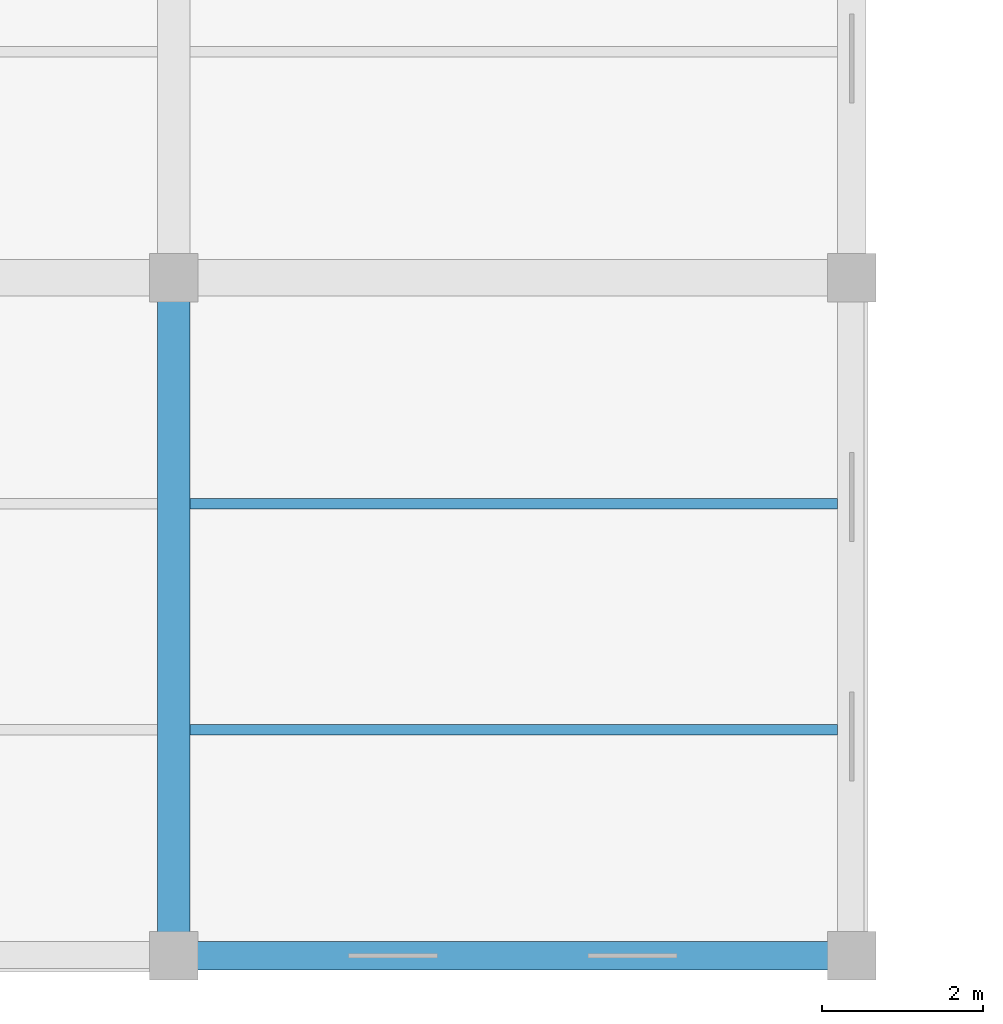
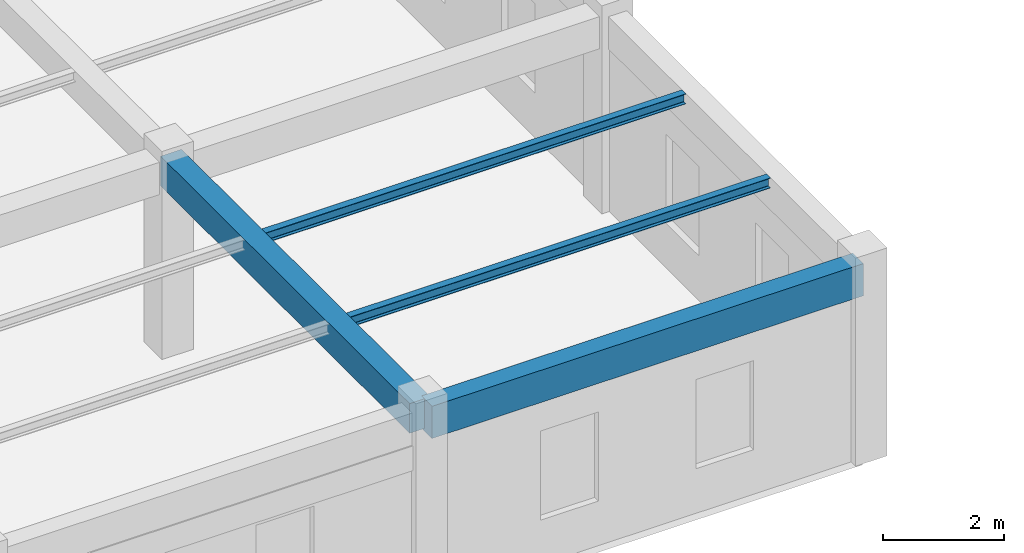
# One storey, part 14 of 114: 4 beams.
"""IFC4 building model written with IfcOpenShell, lengths in metres."""

from ifc_helpers import new_model, si_unit, direction, frame, origin, origin_2d, place, context, subcontext, project, spatial, rectangle, i_section, extrude, material, material_profile, profile_set, type_object, element, save


model = new_model("IFC4")

# Units and contexts
model_context = context("Model", 3, precision=1e-05, world=origin(), true_north=direction((0.0, 1.0)))
body_context = subcontext(model_context, "Body", "Model", "MODEL_VIEW")
ifc_project = project(units=[si_unit("LENGTHUNIT", "METRE"), si_unit("AREAUNIT", "SQUARE_METRE"), si_unit("VOLUMEUNIT", "CUBIC_METRE"), si_unit("PLANEANGLEUNIT", "RADIAN"), si_unit("MASSUNIT", "GRAM", prefix="KILO"), si_unit("THERMODYNAMICTEMPERATUREUNIT", "KELVIN"), si_unit("POWERUNIT", "WATT")], contexts=[model_context])

# Site, building, storey
site_placement = place(None, origin())
site = spatial("IfcSite", under=ifc_project, at=site_placement, CompositionType="ELEMENT")
building_placement = place(site_placement, origin())
building = spatial("IfcBuilding", under=site, at=building_placement, Name="Darbajah Civic Hall", CompositionType="ELEMENT")
storey_placement = place(building_placement, frame((0.0, 0.0, 13.800048828125)))
storey = spatial("IfcBuildingStorey", under=building, at=storey_placement, Name="L03", CompositionType="ELEMENT", Elevation=13.800048828125)

# Beams
ifc_material_1 = material(Name="Concrete C45/55", Category="concrete")
ifc_material_profile_1 = material_profile(ifc_material_1, rectangle(XDim=0.39990234375, YDim=0.60009765625, at=origin_2d()), Name="RC BEAM 400x600")
ifc_profile_set_1 = profile_set([ifc_material_profile_1], Name="Concrete C45/55")
beam_type_1 = type_object("IfcBeamType", Name="RC BEAM 400x600", PredefinedType="BEAM", material=ifc_profile_set_1)
beam_1_placement = place(storey_placement, frame((58.800048828125, 0.080078125, 3.639892578125), z_axis=(0.0, 1.0, 0.0), x_axis=(-1.0, 0.0, 0.0)))
element("IfcBeam", 1, at=beam_1_placement, inside=storey, type_object=beam_type_1, Name="L03 beam BM-4060", PredefinedType="BEAM", context=body_context, shape_type="SweptSolid", body=[
    extrude(rectangle(XDim=0.39990234375, YDim=0.60009765625, at=origin_2d()), origin(), (0.0, 0.0, 1.0), 8.239990234375),
])
ifc_material_profile_2 = material_profile(ifc_material_1, rectangle(XDim=0.35009765625, YDim=0.64990234375, at=origin_2d()), Name="RC SPANDREL 350x650")
ifc_profile_set_2 = profile_set([ifc_material_profile_2], Name="Concrete C45/55")
beam_type_2 = type_object("IfcBeamType", Name="RC SPANDREL 350x650", PredefinedType="SPANDREL", material=ifc_profile_set_2)
beam_2_placement = place(storey_placement, frame((58.8798828125, 0.0, 3.614990234375), z_axis=(1.0, 0.0, 0.0), x_axis=(0.0, 1.0, 0.0)))
element("IfcBeam", 2, at=beam_2_placement, inside=storey, type_object=beam_type_2, Name="L03 beam SP-3565", PredefinedType="SPANDREL", context=body_context, shape_type="SweptSolid", body=[
    extrude(rectangle(XDim=0.35009765625, YDim=0.64990234375, at=origin_2d()), origin(), (0.0, 0.0, 1.0), 8.240234375),
])
ifc_material_2 = material(Name="Steel S355JR", Category="steel")
ifc_material_profile_3 = material_profile(ifc_material_2, i_section(OverallWidth=0.1337890625, OverallDepth=0.206787109375, WebThickness=0.00634765625, FlangeThickness=0.009521484375, FilletRadius=0.007568359375, at=origin_2d()), Name="UB 203x133x30")
ifc_profile_set_3 = profile_set([ifc_material_profile_3], Name="Steel S355JR")
beam_type_3 = type_object("IfcBeamType", Name="UB 203x133x30", PredefinedType="JOIST", material=ifc_profile_set_3)
for number, where, z_axis, x_axis, name in (
    (3, (59.0, 2.800048828125, 3.836669921875), (1.0, 0.0, 0.0), (0.0, 1.0, 0.0), "L03 beam SJ-203"),
    (4, (59.0, 5.60009765625, 3.836669921875), (1.0, 0.0, 0.0), (0.0, 1.0, 0.0), "L03 beam SJ-203"),
):
    element("IfcBeam", number, at=place(storey_placement, frame(where, z_axis=z_axis, x_axis=x_axis)), inside=storey, type_object=beam_type_3, Name=name, PredefinedType="JOIST", context=body_context, shape_type="SweptSolid", body=[
        extrude(i_section(OverallWidth=0.1337890625, OverallDepth=0.206787109375, WebThickness=0.00634765625, FlangeThickness=0.009521484375, FilletRadius=0.007568359375, at=origin_2d()), origin(), (0.0, 0.0, 1.0), 8.02490234375),
    ])

save(model, "model.ifc")
